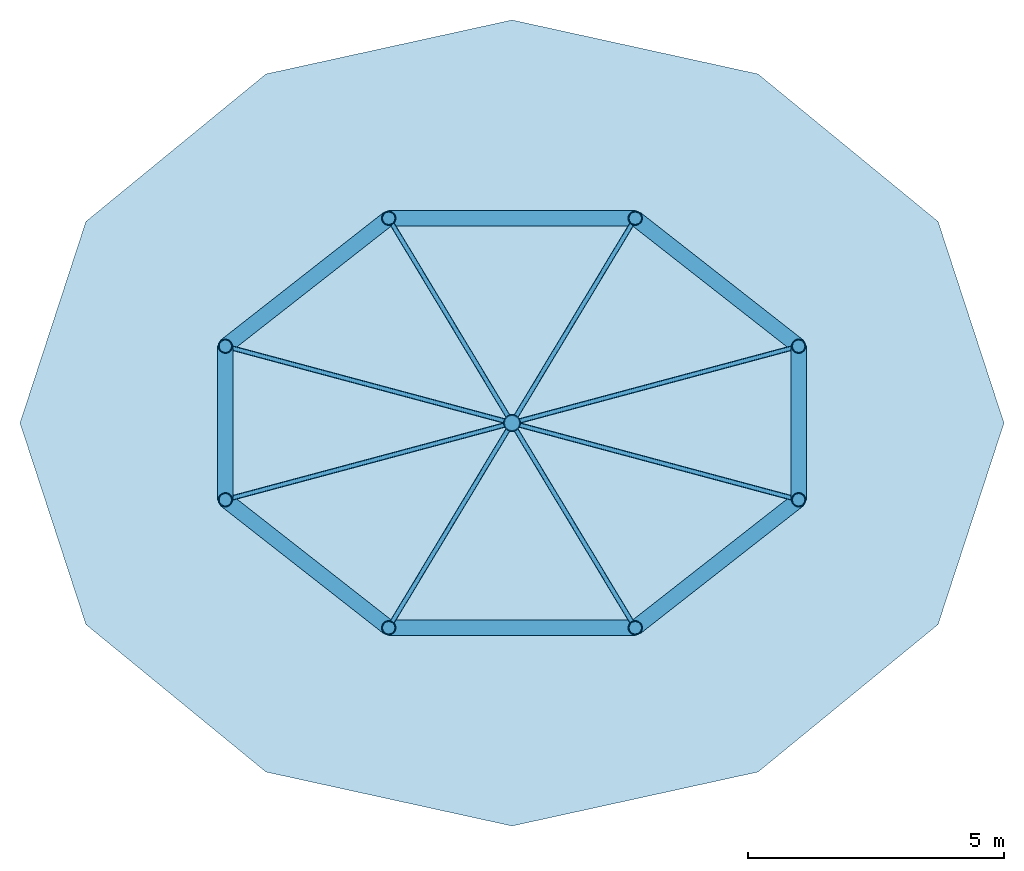
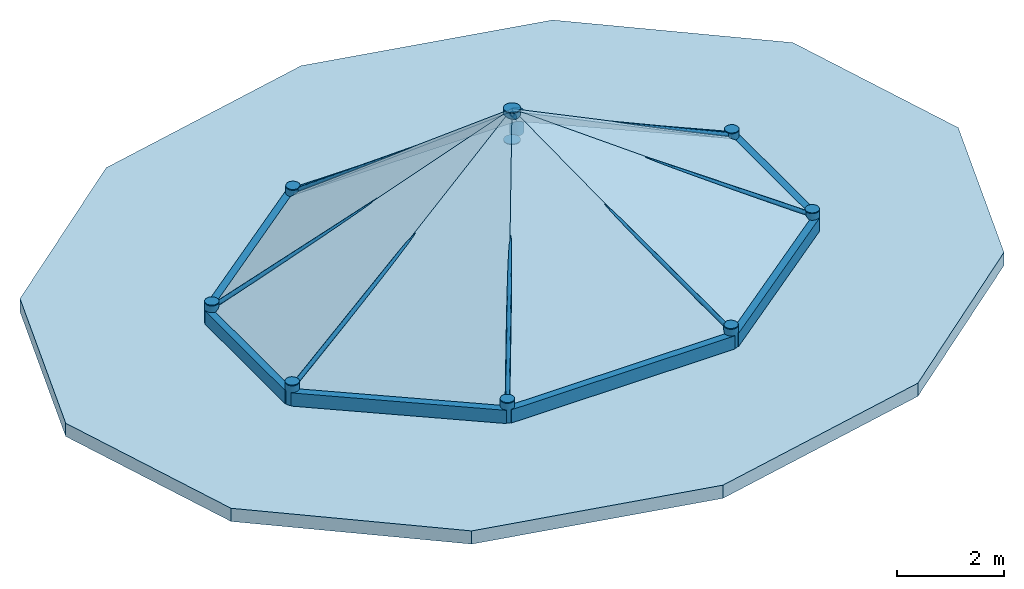
# One storey: 10 discrete accessories, 9 members, 8 columns, 8 roofs, 8 walls, 1 slab.
"""IFC4 building model written with IfcOpenShell, lengths in metres."""

import ifcopenshell
import ifcopenshell.guid

model = None  # the IFC model being written
_history = None  # IfcOwnerHistory: only IFC2X3 demands one
_inside = {}  # id of a spatial element -> (the spatial element, [elements in it])
_under = {}  # id of a project, library or spatial element -> (it, [spatial elements below it])
_declared = {}  # id of a project -> (the project, [libraries it declares])
_typed = {}  # id of a type object -> (the type object, [elements of that type])
_made_of = {}  # id of a material, layer set ... -> (it, [elements and type objects made of it])


def new_model(schema):
    """Start an empty IFC model of exactly this schema.

    Asked for "IFC4X3", IfcOpenShell would pick the latest addendum, in which some entities
    have other attributes; the version numbers below select the first issue.
    IFC2X3 requires an IfcOwnerHistory on every rooted entity: one is made here for all.
    """
    global model, _history
    if schema == "IFC4X3":
        model = ifcopenshell.file(schema_version=(4, 3, 0, 0))
    else:
        model = ifcopenshell.file(schema=schema)
    _inside.clear()
    _under.clear()
    _declared.clear()
    _typed.clear()
    _made_of.clear()
    _history = None
    if model.schema == "IFC2X3":
        org = make("IfcOrganization", Name="unknown")
        user = make(
            "IfcPersonAndOrganization",
            ThePerson=make("IfcPerson", FamilyName="unknown"),
            TheOrganization=org,
        )
        app = make(
            "IfcApplication",
            ApplicationDeveloper=org,
            Version="unknown",
            ApplicationFullName="unknown",
            ApplicationIdentifier="unknown",
        )
        _history = make(
            "IfcOwnerHistory",
            OwningUser=user,
            OwningApplication=app,
            ChangeAction="ADDED",
            CreationDate=0,
        )
    return model


def make(cls, **values):
    """One entity of the class cls with the attributes given. An attribute that is None is left unset."""
    return model.create_entity(
        cls, **{name: value for name, value in values.items() if value is not None}
    )


def rooted(cls, **values):
    """An entity with a GlobalId (a new one), such as an element, a storey or a relation."""
    return make(cls, GlobalId=ifcopenshell.guid.new(), OwnerHistory=_history, **values)


def si_unit(unit_type, name, prefix=None):
    """IfcSIUnit, for example si_unit("LENGTHUNIT", "METRE", prefix="MILLI")."""
    return make("IfcSIUnit", UnitType=unit_type, Prefix=prefix, Name=name)


def assignment(units):
    """IfcUnitAssignment: the units of a project."""
    return None if units is None else make("IfcUnitAssignment", Units=units)


def point(xyz):
    """IfcCartesianPoint."""
    return None if xyz is None else make("IfcCartesianPoint", Coordinates=xyz)


def direction(xyz):
    """IfcDirection."""
    return None if xyz is None else make("IfcDirection", DirectionRatios=xyz)


def frame(location, z_axis=None, x_axis=None):
    """IfcAxis2Placement3D, a coordinate frame: its origin and axes. An axis left out is left unset."""
    return make(
        "IfcAxis2Placement3D",
        Location=point(location),
        Axis=direction(z_axis),
        RefDirection=direction(x_axis),
    )


def frame_2d(location, x_axis=None):
    """IfcAxis2Placement2D, a coordinate frame in the plane: its origin and x axis."""
    return make(
        "IfcAxis2Placement2D", Location=point(location), RefDirection=direction(x_axis)
    )


def origin():
    """The frame at (0, 0, 0) with its axes left unset."""
    return frame((0.0, 0.0, 0.0))


def origin_2d():
    """The frame at (0, 0) in the plane with its x axis left unset."""
    return frame_2d((0.0, 0.0))


def place(relative_to, where):
    """IfcLocalPlacement: puts the frame where relative to a parent placement (None: the world)."""
    return make(
        "IfcLocalPlacement", PlacementRelTo=relative_to, RelativePlacement=where
    )


def context(
    kind, dimensions, precision=None, world=None, true_north=None, identifier=None
):
    """IfcGeometricRepresentationContext, for example the 3D "Model" context."""
    return make(
        "IfcGeometricRepresentationContext",
        ContextIdentifier=identifier,
        ContextType=kind,
        CoordinateSpaceDimension=dimensions,
        Precision=precision,
        WorldCoordinateSystem=world,
        TrueNorth=true_north,
    )


def subcontext(parent, identifier, kind, view, scale=None):
    """IfcGeometricRepresentationSubContext, for example "Body" below "Model"."""
    return make(
        "IfcGeometricRepresentationSubContext",
        ContextIdentifier=identifier,
        ContextType=kind,
        ParentContext=parent,
        TargetScale=scale,
        TargetView=view,
    )


def project(units=None, contexts=None):
    """IfcProject with its units and contexts."""
    return rooted(
        "IfcProject",
        Name="project",
        RepresentationContexts=contexts,
        UnitsInContext=assignment(units),
    )


def spatial(cls, under=None, at=None, **own):
    """A site, building, storey or space (cls), placed at a placement, below another one or the project."""
    s = rooted(cls, ObjectPlacement=at, **own)
    if under is not None:
        _under.setdefault(under.id(), (under, []))[1].append(s)
    return s


def polyline(points):
    """IfcPolyline through the points."""
    return make("IfcPolyline", Points=[point(p) for p in points])


def profile(cls, at=None, kind="AREA", **sizes):
    """A parametric profile (cls). Its sizes go by their IFC names, for example OverallWidth=200.0."""
    return make(cls, ProfileType=kind, Position=at, **sizes)


def rectangle(**sizes):
    """IfcRectangleProfileDef."""
    return profile("IfcRectangleProfileDef", **sizes)


def hollow_circle(**sizes):
    """IfcCircleHollowProfileDef."""
    return profile("IfcCircleHollowProfileDef", **sizes)


def outline(outer, holes=None, kind="AREA"):
    """IfcArbitraryClosedProfileDef: a profile drawn as a closed curve; with holes, ...WithVoids."""
    if holes is None:
        return make("IfcArbitraryClosedProfileDef", ProfileType=kind, OuterCurve=outer)
    return make(
        "IfcArbitraryProfileDefWithVoids",
        ProfileType=kind,
        OuterCurve=outer,
        InnerCurves=holes,
    )


def extrude(swept, where, along, depth):
    """IfcExtrudedAreaSolid: the profile swept, set in the frame where, extruded along a direction by depth."""
    return make(
        "IfcExtrudedAreaSolid",
        SweptArea=swept,
        Position=where,
        ExtrudedDirection=direction(along),
        Depth=depth,
    )


def shape(context_of_items, identifier, shape_type, items):
    """IfcShapeRepresentation: the items that make up one representation, for example the "Body"."""
    return make(
        "IfcShapeRepresentation",
        ContextOfItems=context_of_items,
        RepresentationIdentifier=identifier,
        RepresentationType=shape_type,
        Items=items,
    )


def material(Name=None, Category=None):
    """IfcMaterial."""
    return make("IfcMaterial", Name=Name, Category=Category)


def layer(
    of_material, thickness, ventilated=None, Name=None, Category=None, Priority=None
):
    """IfcMaterialLayer: one layer of a wall or slab, of a material (None: an air gap)."""
    return make(
        "IfcMaterialLayer",
        Material=of_material,
        LayerThickness=thickness,
        IsVentilated=ventilated,
        Name=Name,
        Category=Category,
        Priority=Priority,
    )


def layer_set(layers, Name=None):
    """IfcMaterialLayerSet."""
    return make("IfcMaterialLayerSet", MaterialLayers=layers, LayerSetName=Name)


def material_profile(
    of_material, cross_section, Name=None, Category=None, Priority=None
):
    """IfcMaterialProfile: a cross section and its material."""
    return make(
        "IfcMaterialProfile",
        Name=Name,
        Material=of_material,
        Profile=cross_section,
        Priority=Priority,
        Category=Category,
    )


def profile_set(profiles, Name=None, composite=None):
    """IfcMaterialProfileSet."""
    return make(
        "IfcMaterialProfileSet",
        Name=Name,
        MaterialProfiles=profiles,
        CompositeProfile=composite,
    )


def made_of(thing, what):
    """Note that an element or type object is made of a material, layer set ...; save() writes the relation."""
    if what is not None:
        _made_of.setdefault(what.id(), (what, []))[1].append(thing)
    return thing


def type_object(cls, material=None, **own):
    """A type object (cls), such as IfcWallType, which elements share."""
    return made_of(rooted(cls, **own), material)


def element(
    cls,
    number,
    at=None,
    inside=None,
    cuts=None,
    type_object=None,
    material=None,
    context=None,
    identifier="Body",
    shape_type=None,
    held_by="IfcProductDefinitionShape",
    body=None,
    shapes=None,
    **own,
):
    """One element of the class cls, such as IfcWall. Its Tag is "e" and its number.

    at: its placement. inside: the storey or other place that contains it. cuts: it is an
    opening in that element (IfcRelVoidsElement). A single representation is given by context,
    identifier, shape_type and body (its items); several are given by shapes. held_by: the class
    of the entity that holds the representations. save() writes the other relations.
    """
    e = rooted(cls, Tag="e%d" % number, ObjectPlacement=at, **own)
    if body is not None:
        shapes = [shape(context, identifier, shape_type, body)]
    if shapes is not None:
        e.Representation = make(held_by, Representations=shapes)
    if inside is not None:
        _inside.setdefault(inside.id(), (inside, []))[1].append(e)
    if cuts is not None:
        rooted(
            "IfcRelVoidsElement", RelatingBuildingElement=cuts, RelatedOpeningElement=e
        )
    if type_object is not None:
        _typed.setdefault(type_object.id(), (type_object, []))[1].append(e)
    return made_of(e, material)


def aggregate(whole, parts):
    """IfcRelAggregates: a whole, such as a stair, and the parts it consists of."""
    return rooted("IfcRelAggregates", RelatingObject=whole, RelatedObjects=parts)


def save(model, path):
    """Write the relations noted so far, then the file.

    IfcRelAggregates (storeys below a building ...), IfcRelContainedInSpatialStructure (elements
    in a storey), IfcRelDefinesByType, IfcRelAssociatesMaterial and IfcRelDeclares: one each for
    every whole, place, type object, material and project.
    """
    for whole, parts in _under.values():
        aggregate(whole, parts)
    for where, things in _inside.values():
        rooted(
            "IfcRelContainedInSpatialStructure",
            RelatedElements=things,
            RelatingStructure=where,
        )
    for kind, things in _typed.values():
        rooted("IfcRelDefinesByType", RelatedObjects=things, RelatingType=kind)
    for what, things in _made_of.values():
        rooted("IfcRelAssociatesMaterial", RelatedObjects=things, RelatingMaterial=what)
    for by, libraries in _declared.values():
        rooted("IfcRelDeclares", RelatingContext=by, RelatedDefinitions=libraries)
    model.write(path)


model = new_model("IFC4")

# Units and contexts
model_context = context("Model", 3, precision=1e-05, world=origin(), true_north=direction((0.0, 1.0)))
body_context = subcontext(model_context, "Body", "Model", "MODEL_VIEW")
ifc_project = project(units=[si_unit("LENGTHUNIT", "METRE"), si_unit("AREAUNIT", "SQUARE_METRE"), si_unit("VOLUMEUNIT", "CUBIC_METRE"), si_unit("PLANEANGLEUNIT", "RADIAN"), si_unit("MASSUNIT", "GRAM", prefix="KILO")], contexts=[model_context])

# Site, building, storey
site_placement = place(None, origin())
site = spatial("IfcSite", under=ifc_project, at=site_placement, CompositionType="ELEMENT")
building_placement = place(site_placement, origin())
building = spatial("IfcBuilding", under=site, at=building_placement, Name="Siaravel Broadcast Tower", CompositionType="ELEMENT")
storey_placement = place(building_placement, frame((0.0, 0.0, 296.0)))
storey = spatial("IfcBuildingStorey", under=building, at=storey_placement, Name="ROOF", CompositionType="ELEMENT", Elevation=296.0)

# Columns
ifc_material_1 = material(Name="Steel S460", Category="steel")
ifc_material_profile_1 = material_profile(ifc_material_1, hollow_circle(Radius=0.136474609375, WallThickness=0.012451171875, at=origin_2d()))
ifc_profile_set_1 = profile_set([ifc_material_profile_1], Name="Steel S460")
column_type = type_object("IfcColumnType", Name="Tip foot post CHS 273x12.5", PredefinedType="COLUMN", material=ifc_profile_set_1)
for number, where, z_axis, x_axis, name in (
    (1, (5.60009765625, 1.5, 0.0), (0.0, 0.0, 1.0), (1.0, 0.0, 0.0), "Tip foot post 1"),
    (2, (2.407958984375, 4.0, 0.0), (0.0, 0.0, 1.0), (1.0, 0.0, 0.0), "Tip foot post 2"),
    (3, (-2.407958984375, 4.0, 0.0), (0.0, 0.0, 1.0), (1.0, 0.0, 0.0), "Tip foot post 3"),
    (4, (-5.60009765625, 1.5, 0.0), (0.0, 0.0, 1.0), (1.0, 0.0, 0.0), "Tip foot post 4"),
    (5, (-5.60009765625, -1.5, 0.0), (0.0, 0.0, 1.0), (1.0, 0.0, 0.0), "Tip foot post 5"),
    (6, (-2.407958984375, -4.0, 0.0), (0.0, 0.0, 1.0), (1.0, 0.0, 0.0), "Tip foot post 6"),
    (7, (2.407958984375, -4.0, 0.0), (0.0, 0.0, 1.0), (1.0, 0.0, 0.0), "Tip foot post 7"),
    (8, (5.60009765625, -1.5, 0.0), (0.0, 0.0, 1.0), (1.0, 0.0, 0.0), "Tip foot post 8"),
):
    element("IfcColumn", number, at=place(storey_placement, frame(where, z_axis=z_axis, x_axis=x_axis)), inside=storey, type_object=column_type, Name=name, PredefinedType="COLUMN", context=body_context, shape_type="SweptSolid", body=[
        extrude(hollow_circle(Radius=0.136474609375, WallThickness=0.012451171875, at=origin_2d()), origin(), (0.0, 0.0, 1.0), 0.449951171875),
    ])

# Members
ifc_material_profile_2 = material_profile(ifc_material_1, hollow_circle(Radius=0.161865234375, WallThickness=0.012451171875, at=origin_2d()))
ifc_profile_set_2 = profile_set([ifc_material_profile_2], Name="Steel S460")
member_type_1 = type_object("IfcMemberType", Name="Tip apex node CHS 323.9x12.5", PredefinedType="USERDEFINED", material=ifc_profile_set_2)
member_1_placement = place(storey_placement, frame((0.0, 0.0, 3.10009765625), z_axis=(0.0, 0.0, 1.0), x_axis=(1.0, 0.0, 0.0)))
element("IfcMember", 9, at=member_1_placement, inside=storey, type_object=member_type_1, Name="Tip apex node", ObjectType="TIP NODE", PredefinedType="USERDEFINED", context=body_context, shape_type="SweptSolid", body=[
    extrude(hollow_circle(Radius=0.161865234375, WallThickness=0.012451171875, at=origin_2d()), origin(), (0.0, 0.0, 1.0), 0.699951171875),
])
ifc_material_profile_3 = material_profile(ifc_material_1, hollow_circle(Radius=0.04443359375, WallThickness=0.0048828125, at=origin_2d()))
ifc_profile_set_3 = profile_set([ifc_material_profile_3], Name="Steel S460")
member_type_2 = type_object("IfcMemberType", Name="Tip hip CHS 88.9x5", PredefinedType="BRACE", material=ifc_profile_set_3)
member_2_placement = place(storey_placement, frame((5.60009765625, 1.5, 0.330078125), z_axis=(-0.836539354, -0.224062379, 0.49999796), x_axis=(0.258724597, -0.965951129, 0.0)))
element("IfcMember", 10, at=member_2_placement, inside=storey, type_object=member_type_2, Name="Tip hip 1", PredefinedType="BRACE", context=body_context, shape_type="SweptSolid", body=[
    extrude(hollow_circle(Radius=0.04443359375, WallThickness=0.0048828125, at=origin_2d()), origin(), (0.0, 0.0, 1.0), 6.5419921875),
])
for number, where, z_axis, x_axis, name in (
    (11, (2.407958984375, 4.0, 0.330078125), (-0.419188456, -0.696358453, 0.582551236), (0.856746566, -0.515737648, 0.0), "Tip hip 2"),
    (12, (-2.407958984375, 4.0, 0.330078125), (0.419188456, -0.696358453, 0.582551236), (0.856746566, 0.515737648, 0.0), "Tip hip 3"),
):
    element("IfcMember", number, at=place(storey_placement, frame(where, z_axis=z_axis, x_axis=x_axis)), inside=storey, type_object=member_type_2, Name=name, PredefinedType="BRACE", context=body_context, shape_type="SweptSolid", body=[
        extrude(hollow_circle(Radius=0.04443359375, WallThickness=0.0048828125, at=origin_2d()), origin(), (0.0, 0.0, 1.0), 5.581787109375),
    ])
for number, where, z_axis, x_axis, name in (
    (13, (-5.60009765625, 1.5, 0.330078125), (0.836539354, -0.224062379, 0.49999796), (0.258724597, 0.965951129, 0.0), "Tip hip 4"),
    (14, (-5.60009765625, -1.5, 0.330078125), (0.836539354, 0.224062379, 0.49999796), (-0.258724597, 0.965951129, 0.0), "Tip hip 5"),
):
    element("IfcMember", number, at=place(storey_placement, frame(where, z_axis=z_axis, x_axis=x_axis)), inside=storey, type_object=member_type_2, Name=name, PredefinedType="BRACE", context=body_context, shape_type="SweptSolid", body=[
        extrude(hollow_circle(Radius=0.04443359375, WallThickness=0.0048828125, at=origin_2d()), origin(), (0.0, 0.0, 1.0), 6.5419921875),
    ])
for number, where, z_axis, x_axis, name in (
    (15, (-2.407958984375, -4.0, 0.330078125), (0.419188456, 0.696358453, 0.582551236), (-0.856746566, 0.515737648, 0.0), "Tip hip 6"),
    (16, (2.407958984375, -4.0, 0.330078125), (-0.419188456, 0.696358453, 0.582551236), (-0.856746566, -0.515737648, 0.0), "Tip hip 7"),
):
    element("IfcMember", number, at=place(storey_placement, frame(where, z_axis=z_axis, x_axis=x_axis)), inside=storey, type_object=member_type_2, Name=name, PredefinedType="BRACE", context=body_context, shape_type="SweptSolid", body=[
        extrude(hollow_circle(Radius=0.04443359375, WallThickness=0.0048828125, at=origin_2d()), origin(), (0.0, 0.0, 1.0), 5.581787109375),
    ])
member_3_placement = place(storey_placement, frame((5.60009765625, -1.5, 0.330078125), z_axis=(-0.836539354, 0.224062379, 0.49999796), x_axis=(-0.258724597, -0.965951129, 0.0)))
element("IfcMember", 17, at=member_3_placement, inside=storey, type_object=member_type_2, Name="Tip hip 8", PredefinedType="BRACE", context=body_context, shape_type="SweptSolid", body=[
    extrude(hollow_circle(Radius=0.04443359375, WallThickness=0.0048828125, at=origin_2d()), origin(), (0.0, 0.0, 1.0), 6.5419921875),
])

# Slab
ifc_material_2 = material(Name="Concrete C40/50", Category="concrete")
ifc_layer_1 = layer(ifc_material_2, 0.300048828125)
ifc_layer_set_1 = layer_set([ifc_layer_1], Name="Concrete C40/50")
slab_type = type_object("IfcSlabType", Name="SLB-ROOF-300", PredefinedType="ROOF", material=ifc_layer_set_1)
slab_placement = place(storey_placement, frame((0.0, 0.0, -0.300048828125)))
element("IfcSlab", 18, at=slab_placement, inside=storey, type_object=slab_type, Name="Crown roof slab", PredefinedType="ROOF", context=body_context, shape_type="SweptSolid", body=[
    extrude(outline(polyline([(9.611572265625, 0.0), (8.323974609375, 3.9365234375), (4.805908203125, 6.818115234375), (0.0, 7.873046875), (-4.805908203125, 6.818115234375), (-8.323974609375, 3.9365234375), (-9.611572265625, 0.0), (-8.323974609375, -3.9365234375), (-4.805908203125, -6.818115234375), (0.0, -7.873046875), (4.805908203125, -6.818115234375), (8.323974609375, -3.9365234375), (9.611572265625, 0.0)])), origin(), (0.0, 0.0, 1.0), 0.300048828125),
])

# Walls
ifc_layer_2 = layer(ifc_material_2, 0.300048828125)
ifc_layer_set_2 = layer_set([ifc_layer_2], Name="Concrete C40/50")
wall_type = type_object("IfcWallType", Name="Glass tip kerb", PredefinedType="ELEMENTEDWALL", material=ifc_layer_set_2)
wall_1_placement = place(storey_placement, frame((5.60009765625, 1.5, 0.0), z_axis=(0.0, 0.0, 1.0), x_axis=(-0.787288947, 0.616584231, 0.0)))
element("IfcWall", 19, at=wall_1_placement, inside=storey, type_object=wall_type, Name="Glass tip kerb 1", PredefinedType="ELEMENTEDWALL", context=body_context, shape_type="SweptSolid", body=[
    extrude(rectangle(XDim=4.0546875, YDim=0.300048828125, at=frame_2d((2.02734375, 0.0))), origin(), (0.0, 0.0, 1.0), 0.300048828125),
])
wall_2_placement = place(storey_placement, frame((2.407958984375, 4.0, 0.0), z_axis=(0.0, 0.0, 1.0), x_axis=(-1.0, 0.0, 0.0)))
element("IfcWall", 20, at=wall_2_placement, inside=storey, type_object=wall_type, Name="Glass tip kerb 2", PredefinedType="ELEMENTEDWALL", context=body_context, shape_type="SweptSolid", body=[
    extrude(rectangle(XDim=4.81591796875, YDim=0.300048828125, at=frame_2d((2.407958984375, 0.0))), origin(), (0.0, 0.0, 1.0), 0.300048828125),
])
wall_3_placement = place(storey_placement, frame((-2.407958984375, 4.0, 0.0), z_axis=(0.0, 0.0, 1.0), x_axis=(-0.787288947, -0.616584231, 0.0)))
element("IfcWall", 21, at=wall_3_placement, inside=storey, type_object=wall_type, Name="Glass tip kerb 3", PredefinedType="ELEMENTEDWALL", context=body_context, shape_type="SweptSolid", body=[
    extrude(rectangle(XDim=4.0546875, YDim=0.300048828125, at=frame_2d((2.02734375, 0.0))), origin(), (0.0, 0.0, 1.0), 0.300048828125),
])
wall_4_placement = place(storey_placement, frame((-5.60009765625, 1.5, 0.0), z_axis=(0.0, 0.0, 1.0), x_axis=(0.0, -1.0, 0.0)))
element("IfcWall", 22, at=wall_4_placement, inside=storey, type_object=wall_type, Name="Glass tip kerb 4", PredefinedType="ELEMENTEDWALL", context=body_context, shape_type="SweptSolid", body=[
    extrude(rectangle(XDim=3.0, YDim=0.300048828125, at=frame_2d((1.5, 0.0))), origin(), (0.0, 0.0, 1.0), 0.300048828125),
])
wall_5_placement = place(storey_placement, frame((-5.60009765625, -1.5, 0.0), z_axis=(0.0, 0.0, 1.0), x_axis=(0.787288947, -0.616584231, 0.0)))
element("IfcWall", 23, at=wall_5_placement, inside=storey, type_object=wall_type, Name="Glass tip kerb 5", PredefinedType="ELEMENTEDWALL", context=body_context, shape_type="SweptSolid", body=[
    extrude(rectangle(XDim=4.0546875, YDim=0.300048828125, at=frame_2d((2.02734375, 0.0))), origin(), (0.0, 0.0, 1.0), 0.300048828125),
])
wall_6_placement = place(storey_placement, frame((-2.407958984375, -4.0, 0.0), z_axis=(0.0, 0.0, 1.0), x_axis=(1.0, 0.0, 0.0)))
element("IfcWall", 24, at=wall_6_placement, inside=storey, type_object=wall_type, Name="Glass tip kerb 6", PredefinedType="ELEMENTEDWALL", context=body_context, shape_type="SweptSolid", body=[
    extrude(rectangle(XDim=4.81591796875, YDim=0.300048828125, at=frame_2d((2.407958984375, 0.0))), origin(), (0.0, 0.0, 1.0), 0.300048828125),
])
wall_7_placement = place(storey_placement, frame((2.407958984375, -4.0, 0.0), z_axis=(0.0, 0.0, 1.0), x_axis=(0.787288947, 0.616584231, 0.0)))
element("IfcWall", 25, at=wall_7_placement, inside=storey, type_object=wall_type, Name="Glass tip kerb 7", PredefinedType="ELEMENTEDWALL", context=body_context, shape_type="SweptSolid", body=[
    extrude(rectangle(XDim=4.0546875, YDim=0.300048828125, at=frame_2d((2.02734375, 0.0))), origin(), (0.0, 0.0, 1.0), 0.300048828125),
])
wall_8_placement = place(storey_placement, frame((5.60009765625, -1.5, 0.0), z_axis=(0.0, 0.0, 1.0), x_axis=(0.0, 1.0, 0.0)))
element("IfcWall", 26, at=wall_8_placement, inside=storey, type_object=wall_type, Name="Glass tip kerb 8", PredefinedType="ELEMENTEDWALL", context=body_context, shape_type="SweptSolid", body=[
    extrude(rectangle(XDim=3.0, YDim=0.300048828125, at=frame_2d((1.5, 0.0))), origin(), (0.0, 0.0, 1.0), 0.300048828125),
])

# Roofs
ifc_material_3 = material(Name="Low-iron laminated glass", Category="glass")
ifc_layer_3 = layer(ifc_material_3, 0.050048828125)
ifc_layer_set_3 = layer_set([ifc_layer_3], Name="Low-iron laminated glass")
roof_type = type_object("IfcRoofType", Name="Glass tip facet", PredefinedType="USERDEFINED", material=ifc_layer_set_3)
roof_1_placement = place(storey_placement, frame((5.60009765625, 1.5, 0.300048828125), z_axis=(0.371620136, 0.474505203, 0.797961959), x_axis=(-0.787288947, 0.616584231, 0.0)))
element("IfcRoof", 27, at=roof_1_placement, inside=storey, type_object=roof_type, Name="Glass tip facet 1", ObjectType="GLASS TIP", PredefinedType="USERDEFINED", context=body_context, shape_type="SweptSolid", body=[
    extrude(outline(polyline([(0.0, 0.0), (4.0545961, 0.0), (3.4840186, 5.8071256), (0.0, 0.0)])), origin(), (0.0, 0.0, -1.0), 0.050048828125),
])
roof_2_placement = place(storey_placement, frame((2.407958984375, 4.0, 0.300048828125), z_axis=(0.0, 0.658504608, 0.752576695), x_axis=(-1.0, 0.0, 0.0)))
element("IfcRoof", 28, at=roof_2_placement, inside=storey, type_object=roof_type, Name="Glass tip facet 2", ObjectType="GLASS TIP", PredefinedType="USERDEFINED", context=body_context, shape_type="SweptSolid", body=[
    extrude(outline(polyline([(0.0, 0.0), (4.81591796875, 0.0), (2.407958984375, 5.3150729), (0.0, 0.0)])), origin(), (0.0, 0.0, -1.0), 0.050048828125),
])
roof_3_placement = place(storey_placement, frame((-2.407958984375, 4.0, 0.300048828125), z_axis=(-0.371620136, 0.474505203, 0.797961959), x_axis=(-0.787288947, -0.616584231, 0.0)))
element("IfcRoof", 29, at=roof_3_placement, inside=storey, type_object=roof_type, Name="Glass tip facet 3", ObjectType="GLASS TIP", PredefinedType="USERDEFINED", context=body_context, shape_type="SweptSolid", body=[
    extrude(outline(polyline([(0.0, 0.0), (4.0545961, 0.0), (0.5705774, 5.8071256), (0.0, 0.0)])), origin(), (0.0, 0.0, -1.0), 0.050048828125),
])
roof_4_placement = place(storey_placement, frame((-5.60009765625, 1.5, 0.300048828125), z_axis=(-0.529992294, 0.0, 0.848002458), x_axis=(0.0, -1.0, 0.0)))
element("IfcRoof", 30, at=roof_4_placement, inside=storey, type_object=roof_type, Name="Glass tip facet 4", ObjectType="GLASS TIP", PredefinedType="USERDEFINED", context=body_context, shape_type="SweptSolid", body=[
    extrude(outline(polyline([(0.0, 0.0), (3.0, 0.0), (1.5, 6.6038696), (0.0, 0.0)])), origin(), (0.0, 0.0, -1.0), 0.050048828125),
])
roof_5_placement = place(storey_placement, frame((-5.60009765625, -1.5, 0.300048828125), z_axis=(-0.371620136, -0.474505203, 0.797961959), x_axis=(0.787288947, -0.616584231, 0.0)))
element("IfcRoof", 31, at=roof_5_placement, inside=storey, type_object=roof_type, Name="Glass tip facet 5", ObjectType="GLASS TIP", PredefinedType="USERDEFINED", context=body_context, shape_type="SweptSolid", body=[
    extrude(outline(polyline([(0.0, 0.0), (4.0545961, 0.0), (3.4840186, 5.8071256), (0.0, 0.0)])), origin(), (0.0, 0.0, -1.0), 0.050048828125),
])
roof_6_placement = place(storey_placement, frame((-2.407958984375, -4.0, 0.300048828125), z_axis=(0.0, -0.658504608, 0.752576695), x_axis=(1.0, 0.0, 0.0)))
element("IfcRoof", 32, at=roof_6_placement, inside=storey, type_object=roof_type, Name="Glass tip facet 6", ObjectType="GLASS TIP", PredefinedType="USERDEFINED", context=body_context, shape_type="SweptSolid", body=[
    extrude(outline(polyline([(0.0, 0.0), (4.81591796875, 0.0), (2.407958984375, 5.3150729), (0.0, 0.0)])), origin(), (0.0, 0.0, -1.0), 0.050048828125),
])
roof_7_placement = place(storey_placement, frame((2.407958984375, -4.0, 0.300048828125), z_axis=(0.371620136, -0.474505203, 0.797961959), x_axis=(0.787288947, 0.616584231, 0.0)))
element("IfcRoof", 33, at=roof_7_placement, inside=storey, type_object=roof_type, Name="Glass tip facet 7", ObjectType="GLASS TIP", PredefinedType="USERDEFINED", context=body_context, shape_type="SweptSolid", body=[
    extrude(outline(polyline([(0.0, 0.0), (4.0545961, 0.0), (0.5705774, 5.8071256), (0.0, 0.0)])), origin(), (0.0, 0.0, -1.0), 0.050048828125),
])
roof_8_placement = place(storey_placement, frame((5.60009765625, -1.5, 0.300048828125), z_axis=(0.529992294, 0.0, 0.848002458), x_axis=(0.0, 1.0, 0.0)))
element("IfcRoof", 34, at=roof_8_placement, inside=storey, type_object=roof_type, Name="Glass tip facet 8", ObjectType="GLASS TIP", PredefinedType="USERDEFINED", context=body_context, shape_type="SweptSolid", body=[
    extrude(outline(polyline([(0.0, 0.0), (3.0, 0.0), (1.5, 6.6038696), (0.0, 0.0)])), origin(), (0.0, 0.0, -1.0), 0.050048828125),
])

# Discrete accessories
ifc_material_4 = material(Name="Steel S355", Category="steel")
ifc_layer_4 = layer(ifc_material_4, 0.02001953125)
ifc_layer_set_4 = layer_set([ifc_layer_4], Name="Steel S355")
discrete_accessory_type = type_object("IfcDiscreteAccessoryType", Name="Steel end plate 20 mm", PredefinedType="USERDEFINED", material=ifc_layer_set_4)
for number, where, name in (
    (35, (0.0, 0.0, 3.800048828125), "End plate tip apex top"),
    (36, (0.0, 0.0, 3.080078125), "End plate tip apex bottom"),
):
    element("IfcDiscreteAccessory", number, at=place(storey_placement, frame(where)), inside=storey, type_object=discrete_accessory_type, Name=name, ObjectType="END PLATE", PredefinedType="USERDEFINED", context=body_context, shape_type="SweptSolid", body=[
        extrude(outline(polyline([(0.161865234375, 0.0), (0.149658203125, 0.06201171875), (0.114501953125, 0.114501953125), (0.06201171875, 0.149658203125), (0.0, 0.161865234375), (-0.06201171875, 0.149658203125), (-0.114501953125, 0.114501953125), (-0.149658203125, 0.06201171875), (-0.161865234375, 0.0), (-0.149658203125, -0.06201171875), (-0.114501953125, -0.114501953125), (-0.06201171875, -0.149658203125), (0.0, -0.161865234375), (0.06201171875, -0.149658203125), (0.114501953125, -0.114501953125), (0.149658203125, -0.06201171875), (0.161865234375, 0.0)])), origin(), (0.0, 0.0, 1.0), 0.02001953125),
    ])
discrete_accessory_1_placement = place(storey_placement, frame((0.0, 0.0, 0.449951171875)))
element("IfcDiscreteAccessory", 37, at=discrete_accessory_1_placement, inside=storey, type_object=discrete_accessory_type, Name="End plate tip foot 1", ObjectType="END PLATE", PredefinedType="USERDEFINED", context=body_context, shape_type="SweptSolid", body=[
    extrude(outline(polyline([(5.736572265625, 1.5), (5.72607421875, 1.55224609375), (5.696533203125, 1.596435546875), (5.652099609375, 1.626220703125), (5.60009765625, 1.636474609375), (5.5478515625, 1.626220703125), (5.50341796875, 1.596435546875), (5.473876953125, 1.55224609375), (5.46337890625, 1.5), (5.473876953125, 1.44775390625), (5.50341796875, 1.403564453125), (5.5478515625, 1.373779296875), (5.60009765625, 1.363525390625), (5.652099609375, 1.373779296875), (5.696533203125, 1.403564453125), (5.72607421875, 1.44775390625), (5.736572265625, 1.5)])), origin(), (0.0, 0.0, 1.0), 0.02001953125),
])
discrete_accessory_2_placement = place(storey_placement, frame((0.0, 0.0, 0.449951171875)))
element("IfcDiscreteAccessory", 38, at=discrete_accessory_2_placement, inside=storey, type_object=discrete_accessory_type, Name="End plate tip foot 2", ObjectType="END PLATE", PredefinedType="USERDEFINED", context=body_context, shape_type="SweptSolid", body=[
    extrude(outline(polyline([(2.54443359375, 4.0), (2.5341796875, 4.05224609375), (2.50439453125, 4.096435546875), (2.460205078125, 4.126220703125), (2.407958984375, 4.136474609375), (2.355712890625, 4.126220703125), (2.3115234375, 4.096435546875), (2.281982421875, 4.05224609375), (2.271484375, 4.0), (2.281982421875, 3.94775390625), (2.3115234375, 3.903564453125), (2.355712890625, 3.873779296875), (2.407958984375, 3.863525390625), (2.460205078125, 3.873779296875), (2.50439453125, 3.903564453125), (2.5341796875, 3.94775390625), (2.54443359375, 4.0)])), origin(), (0.0, 0.0, 1.0), 0.02001953125),
])
discrete_accessory_3_placement = place(storey_placement, frame((0.0, 0.0, 0.449951171875)))
element("IfcDiscreteAccessory", 39, at=discrete_accessory_3_placement, inside=storey, type_object=discrete_accessory_type, Name="End plate tip foot 3", ObjectType="END PLATE", PredefinedType="USERDEFINED", context=body_context, shape_type="SweptSolid", body=[
    extrude(outline(polyline([(-2.271484375, 4.0), (-2.281982421875, 4.05224609375), (-2.3115234375, 4.096435546875), (-2.355712890625, 4.126220703125), (-2.407958984375, 4.136474609375), (-2.460205078125, 4.126220703125), (-2.50439453125, 4.096435546875), (-2.5341796875, 4.05224609375), (-2.54443359375, 4.0), (-2.5341796875, 3.94775390625), (-2.50439453125, 3.903564453125), (-2.460205078125, 3.873779296875), (-2.407958984375, 3.863525390625), (-2.355712890625, 3.873779296875), (-2.3115234375, 3.903564453125), (-2.281982421875, 3.94775390625), (-2.271484375, 4.0)])), origin(), (0.0, 0.0, 1.0), 0.02001953125),
])
discrete_accessory_4_placement = place(storey_placement, frame((0.0, 0.0, 0.449951171875)))
element("IfcDiscreteAccessory", 40, at=discrete_accessory_4_placement, inside=storey, type_object=discrete_accessory_type, Name="End plate tip foot 4", ObjectType="END PLATE", PredefinedType="USERDEFINED", context=body_context, shape_type="SweptSolid", body=[
    extrude(outline(polyline([(-5.46337890625, 1.5), (-5.473876953125, 1.55224609375), (-5.50341796875, 1.596435546875), (-5.5478515625, 1.626220703125), (-5.60009765625, 1.636474609375), (-5.652099609375, 1.626220703125), (-5.696533203125, 1.596435546875), (-5.72607421875, 1.55224609375), (-5.736572265625, 1.5), (-5.72607421875, 1.44775390625), (-5.696533203125, 1.403564453125), (-5.652099609375, 1.373779296875), (-5.60009765625, 1.363525390625), (-5.5478515625, 1.373779296875), (-5.50341796875, 1.403564453125), (-5.473876953125, 1.44775390625), (-5.46337890625, 1.5)])), origin(), (0.0, 0.0, 1.0), 0.02001953125),
])
discrete_accessory_5_placement = place(storey_placement, frame((0.0, 0.0, 0.449951171875)))
element("IfcDiscreteAccessory", 41, at=discrete_accessory_5_placement, inside=storey, type_object=discrete_accessory_type, Name="End plate tip foot 5", ObjectType="END PLATE", PredefinedType="USERDEFINED", context=body_context, shape_type="SweptSolid", body=[
    extrude(outline(polyline([(-5.46337890625, -1.5), (-5.473876953125, -1.44775390625), (-5.50341796875, -1.403564453125), (-5.5478515625, -1.373779296875), (-5.60009765625, -1.363525390625), (-5.652099609375, -1.373779296875), (-5.696533203125, -1.403564453125), (-5.72607421875, -1.44775390625), (-5.736572265625, -1.5), (-5.72607421875, -1.55224609375), (-5.696533203125, -1.596435546875), (-5.652099609375, -1.626220703125), (-5.60009765625, -1.636474609375), (-5.5478515625, -1.626220703125), (-5.50341796875, -1.596435546875), (-5.473876953125, -1.55224609375), (-5.46337890625, -1.5)])), origin(), (0.0, 0.0, 1.0), 0.02001953125),
])
discrete_accessory_6_placement = place(storey_placement, frame((0.0, 0.0, 0.449951171875)))
element("IfcDiscreteAccessory", 42, at=discrete_accessory_6_placement, inside=storey, type_object=discrete_accessory_type, Name="End plate tip foot 6", ObjectType="END PLATE", PredefinedType="USERDEFINED", context=body_context, shape_type="SweptSolid", body=[
    extrude(outline(polyline([(-2.271484375, -4.0), (-2.281982421875, -3.94775390625), (-2.3115234375, -3.903564453125), (-2.355712890625, -3.873779296875), (-2.407958984375, -3.863525390625), (-2.460205078125, -3.873779296875), (-2.50439453125, -3.903564453125), (-2.5341796875, -3.94775390625), (-2.54443359375, -4.0), (-2.5341796875, -4.05224609375), (-2.50439453125, -4.096435546875), (-2.460205078125, -4.126220703125), (-2.407958984375, -4.136474609375), (-2.355712890625, -4.126220703125), (-2.3115234375, -4.096435546875), (-2.281982421875, -4.05224609375), (-2.271484375, -4.0)])), origin(), (0.0, 0.0, 1.0), 0.02001953125),
])
discrete_accessory_7_placement = place(storey_placement, frame((0.0, 0.0, 0.449951171875)))
element("IfcDiscreteAccessory", 43, at=discrete_accessory_7_placement, inside=storey, type_object=discrete_accessory_type, Name="End plate tip foot 7", ObjectType="END PLATE", PredefinedType="USERDEFINED", context=body_context, shape_type="SweptSolid", body=[
    extrude(outline(polyline([(2.54443359375, -4.0), (2.5341796875, -3.94775390625), (2.50439453125, -3.903564453125), (2.460205078125, -3.873779296875), (2.407958984375, -3.863525390625), (2.355712890625, -3.873779296875), (2.3115234375, -3.903564453125), (2.281982421875, -3.94775390625), (2.271484375, -4.0), (2.281982421875, -4.05224609375), (2.3115234375, -4.096435546875), (2.355712890625, -4.126220703125), (2.407958984375, -4.136474609375), (2.460205078125, -4.126220703125), (2.50439453125, -4.096435546875), (2.5341796875, -4.05224609375), (2.54443359375, -4.0)])), origin(), (0.0, 0.0, 1.0), 0.02001953125),
])
discrete_accessory_8_placement = place(storey_placement, frame((0.0, 0.0, 0.449951171875)))
element("IfcDiscreteAccessory", 44, at=discrete_accessory_8_placement, inside=storey, type_object=discrete_accessory_type, Name="End plate tip foot 8", ObjectType="END PLATE", PredefinedType="USERDEFINED", context=body_context, shape_type="SweptSolid", body=[
    extrude(outline(polyline([(5.736572265625, -1.5), (5.72607421875, -1.44775390625), (5.696533203125, -1.403564453125), (5.652099609375, -1.373779296875), (5.60009765625, -1.363525390625), (5.5478515625, -1.373779296875), (5.50341796875, -1.403564453125), (5.473876953125, -1.44775390625), (5.46337890625, -1.5), (5.473876953125, -1.55224609375), (5.50341796875, -1.596435546875), (5.5478515625, -1.626220703125), (5.60009765625, -1.636474609375), (5.652099609375, -1.626220703125), (5.696533203125, -1.596435546875), (5.72607421875, -1.55224609375), (5.736572265625, -1.5)])), origin(), (0.0, 0.0, 1.0), 0.02001953125),
])

save(model, "model.ifc")
